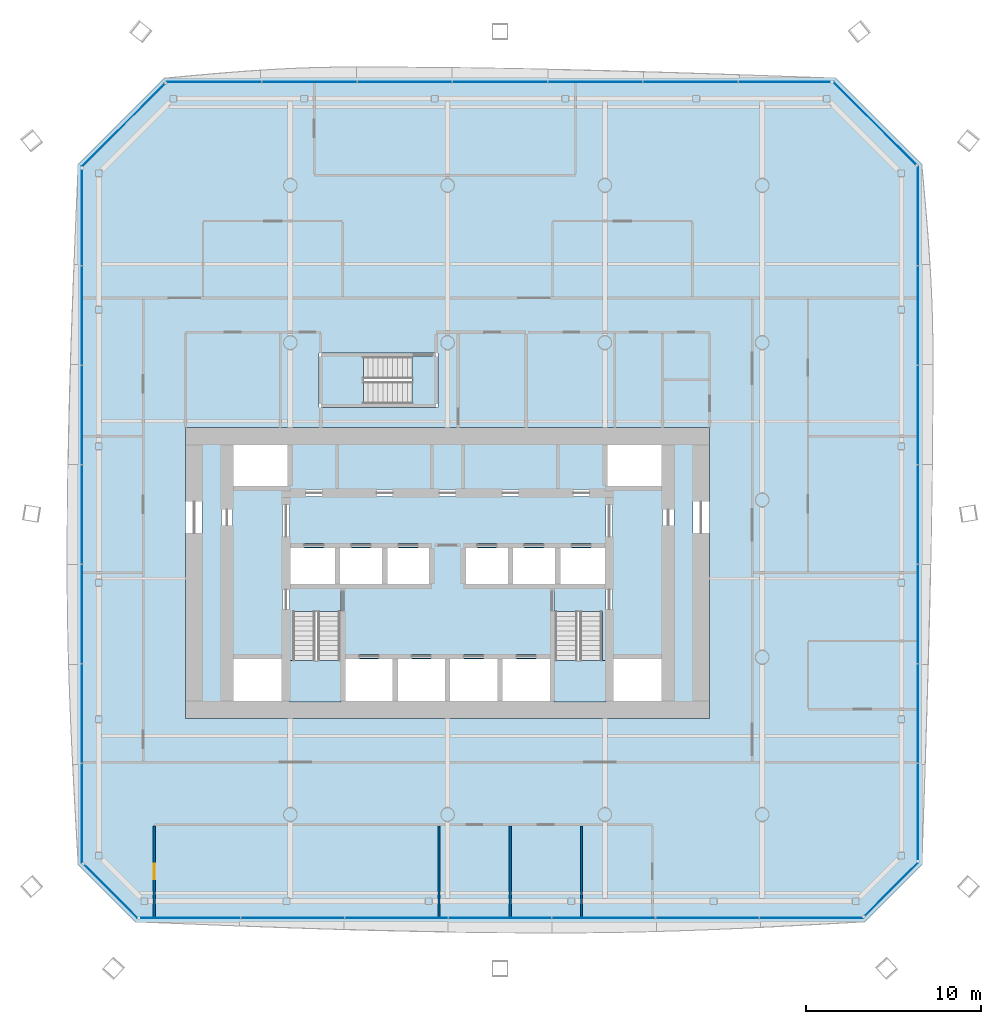
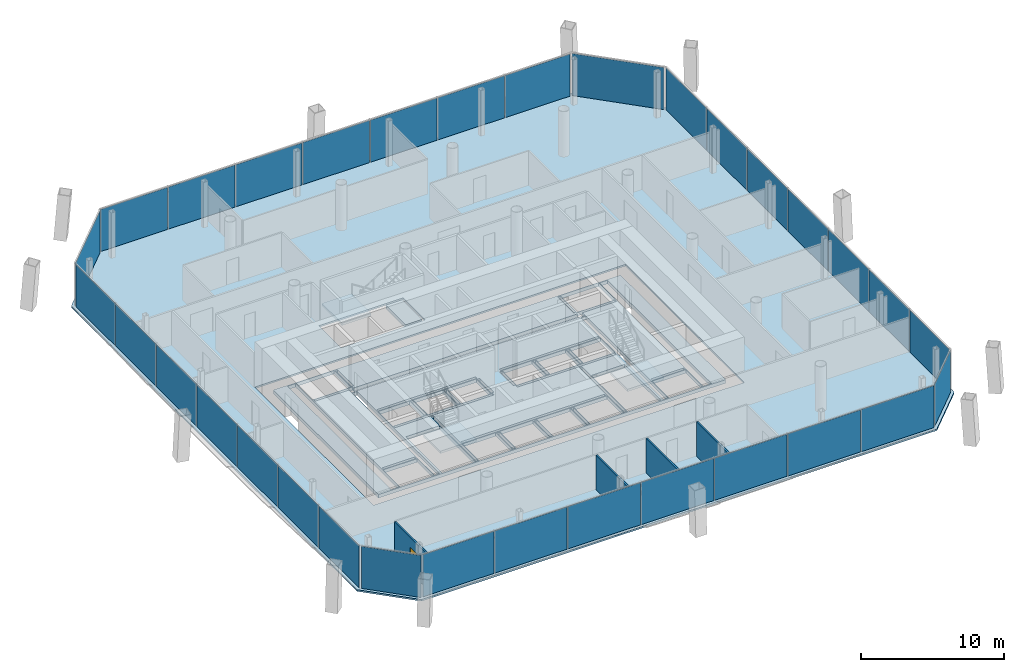
# One storey, part 10 of 19: 32 plates, 6 slabs, 4 walls, 1 door, 1 opening, 11 elements without a shape of their own.
"""IFC4 building model written with IfcOpenShell, lengths in metres."""

import ifcopenshell
import ifcopenshell.guid

model = None  # the IFC model being written
_history = None  # IfcOwnerHistory: only IFC2X3 demands one
_inside = {}  # id of a spatial element -> (the spatial element, [elements in it])
_under = {}  # id of a project, library or spatial element -> (it, [spatial elements below it])
_declared = {}  # id of a project -> (the project, [libraries it declares])
_typed = {}  # id of a type object -> (the type object, [elements of that type])
_made_of = {}  # id of a material, layer set ... -> (it, [elements and type objects made of it])


def new_model(schema):
    """Start an empty IFC model of exactly this schema.

    Asked for "IFC4X3", IfcOpenShell would pick the latest addendum, in which some entities
    have other attributes; the version numbers below select the first issue.
    IFC2X3 requires an IfcOwnerHistory on every rooted entity: one is made here for all.
    """
    global model, _history
    if schema == "IFC4X3":
        model = ifcopenshell.file(schema_version=(4, 3, 0, 0))
    else:
        model = ifcopenshell.file(schema=schema)
    _inside.clear()
    _under.clear()
    _declared.clear()
    _typed.clear()
    _made_of.clear()
    _history = None
    if model.schema == "IFC2X3":
        org = make("IfcOrganization", Name="unknown")
        user = make(
            "IfcPersonAndOrganization",
            ThePerson=make("IfcPerson", FamilyName="unknown"),
            TheOrganization=org,
        )
        app = make(
            "IfcApplication",
            ApplicationDeveloper=org,
            Version="unknown",
            ApplicationFullName="unknown",
            ApplicationIdentifier="unknown",
        )
        _history = make(
            "IfcOwnerHistory",
            OwningUser=user,
            OwningApplication=app,
            ChangeAction="ADDED",
            CreationDate=0,
        )
    return model


def make(cls, **values):
    """One entity of the class cls with the attributes given. An attribute that is None is left unset."""
    return model.create_entity(
        cls, **{name: value for name, value in values.items() if value is not None}
    )


def rooted(cls, **values):
    """An entity with a GlobalId (a new one), such as an element, a storey or a relation."""
    return make(cls, GlobalId=ifcopenshell.guid.new(), OwnerHistory=_history, **values)


def si_unit(unit_type, name, prefix=None):
    """IfcSIUnit, for example si_unit("LENGTHUNIT", "METRE", prefix="MILLI")."""
    return make("IfcSIUnit", UnitType=unit_type, Prefix=prefix, Name=name)


def assignment(units):
    """IfcUnitAssignment: the units of a project."""
    return None if units is None else make("IfcUnitAssignment", Units=units)


def point(xyz):
    """IfcCartesianPoint."""
    return None if xyz is None else make("IfcCartesianPoint", Coordinates=xyz)


def direction(xyz):
    """IfcDirection."""
    return None if xyz is None else make("IfcDirection", DirectionRatios=xyz)


def frame(location, z_axis=None, x_axis=None):
    """IfcAxis2Placement3D, a coordinate frame: its origin and axes. An axis left out is left unset."""
    return make(
        "IfcAxis2Placement3D",
        Location=point(location),
        Axis=direction(z_axis),
        RefDirection=direction(x_axis),
    )


def frame_2d(location, x_axis=None):
    """IfcAxis2Placement2D, a coordinate frame in the plane: its origin and x axis."""
    return make(
        "IfcAxis2Placement2D", Location=point(location), RefDirection=direction(x_axis)
    )


def origin():
    """The frame at (0, 0, 0) with its axes left unset."""
    return frame((0.0, 0.0, 0.0))


def origin_2d():
    """The frame at (0, 0) in the plane with its x axis left unset."""
    return frame_2d((0.0, 0.0))


def place(relative_to, where):
    """IfcLocalPlacement: puts the frame where relative to a parent placement (None: the world)."""
    return make(
        "IfcLocalPlacement", PlacementRelTo=relative_to, RelativePlacement=where
    )


def context(
    kind, dimensions, precision=None, world=None, true_north=None, identifier=None
):
    """IfcGeometricRepresentationContext, for example the 3D "Model" context."""
    return make(
        "IfcGeometricRepresentationContext",
        ContextIdentifier=identifier,
        ContextType=kind,
        CoordinateSpaceDimension=dimensions,
        Precision=precision,
        WorldCoordinateSystem=world,
        TrueNorth=true_north,
    )


def subcontext(parent, identifier, kind, view, scale=None):
    """IfcGeometricRepresentationSubContext, for example "Body" below "Model"."""
    return make(
        "IfcGeometricRepresentationSubContext",
        ContextIdentifier=identifier,
        ContextType=kind,
        ParentContext=parent,
        TargetScale=scale,
        TargetView=view,
    )


def project(units=None, contexts=None):
    """IfcProject with its units and contexts."""
    return rooted(
        "IfcProject",
        Name="project",
        RepresentationContexts=contexts,
        UnitsInContext=assignment(units),
    )


def spatial(cls, under=None, at=None, **own):
    """A site, building, storey or space (cls), placed at a placement, below another one or the project."""
    s = rooted(cls, ObjectPlacement=at, **own)
    if under is not None:
        _under.setdefault(under.id(), (under, []))[1].append(s)
    return s


def polyline(points):
    """IfcPolyline through the points."""
    return make("IfcPolyline", Points=[point(p) for p in points])


def profile(cls, at=None, kind="AREA", **sizes):
    """A parametric profile (cls). Its sizes go by their IFC names, for example OverallWidth=200.0."""
    return make(cls, ProfileType=kind, Position=at, **sizes)


def rectangle(**sizes):
    """IfcRectangleProfileDef."""
    return profile("IfcRectangleProfileDef", **sizes)


def outline(outer, holes=None, kind="AREA"):
    """IfcArbitraryClosedProfileDef: a profile drawn as a closed curve; with holes, ...WithVoids."""
    if holes is None:
        return make("IfcArbitraryClosedProfileDef", ProfileType=kind, OuterCurve=outer)
    return make(
        "IfcArbitraryProfileDefWithVoids",
        ProfileType=kind,
        OuterCurve=outer,
        InnerCurves=holes,
    )


def extrude(swept, where, along, depth):
    """IfcExtrudedAreaSolid: the profile swept, set in the frame where, extruded along a direction by depth."""
    return make(
        "IfcExtrudedAreaSolid",
        SweptArea=swept,
        Position=where,
        ExtrudedDirection=direction(along),
        Depth=depth,
    )


def shape(context_of_items, identifier, shape_type, items):
    """IfcShapeRepresentation: the items that make up one representation, for example the "Body"."""
    return make(
        "IfcShapeRepresentation",
        ContextOfItems=context_of_items,
        RepresentationIdentifier=identifier,
        RepresentationType=shape_type,
        Items=items,
    )


def material(Name=None, Category=None):
    """IfcMaterial."""
    return make("IfcMaterial", Name=Name, Category=Category)


def layer(
    of_material, thickness, ventilated=None, Name=None, Category=None, Priority=None
):
    """IfcMaterialLayer: one layer of a wall or slab, of a material (None: an air gap)."""
    return make(
        "IfcMaterialLayer",
        Material=of_material,
        LayerThickness=thickness,
        IsVentilated=ventilated,
        Name=Name,
        Category=Category,
        Priority=Priority,
    )


def layer_set(layers, Name=None):
    """IfcMaterialLayerSet."""
    return make("IfcMaterialLayerSet", MaterialLayers=layers, LayerSetName=Name)


def made_of(thing, what):
    """Note that an element or type object is made of a material, layer set ...; save() writes the relation."""
    if what is not None:
        _made_of.setdefault(what.id(), (what, []))[1].append(thing)
    return thing


def type_object(cls, material=None, **own):
    """A type object (cls), such as IfcWallType, which elements share."""
    return made_of(rooted(cls, **own), material)


def element(
    cls,
    number,
    at=None,
    inside=None,
    cuts=None,
    type_object=None,
    material=None,
    context=None,
    identifier="Body",
    shape_type=None,
    held_by="IfcProductDefinitionShape",
    body=None,
    shapes=None,
    **own,
):
    """One element of the class cls, such as IfcWall. Its Tag is "e" and its number.

    at: its placement. inside: the storey or other place that contains it. cuts: it is an
    opening in that element (IfcRelVoidsElement). A single representation is given by context,
    identifier, shape_type and body (its items); several are given by shapes. held_by: the class
    of the entity that holds the representations. save() writes the other relations.
    """
    e = rooted(cls, Tag="e%d" % number, ObjectPlacement=at, **own)
    if body is not None:
        shapes = [shape(context, identifier, shape_type, body)]
    if shapes is not None:
        e.Representation = make(held_by, Representations=shapes)
    if inside is not None:
        _inside.setdefault(inside.id(), (inside, []))[1].append(e)
    if cuts is not None:
        rooted(
            "IfcRelVoidsElement", RelatingBuildingElement=cuts, RelatedOpeningElement=e
        )
    if type_object is not None:
        _typed.setdefault(type_object.id(), (type_object, []))[1].append(e)
    return made_of(e, material)


def fill(opening, filler):
    """IfcRelFillsElement: the door or window that sits in an opening."""
    return rooted(
        "IfcRelFillsElement",
        RelatingOpeningElement=opening,
        RelatedBuildingElement=filler,
    )


def aggregate(whole, parts):
    """IfcRelAggregates: a whole, such as a stair, and the parts it consists of."""
    return rooted("IfcRelAggregates", RelatingObject=whole, RelatedObjects=parts)


def save(model, path):
    """Write the relations noted so far, then the file.

    IfcRelAggregates (storeys below a building ...), IfcRelContainedInSpatialStructure (elements
    in a storey), IfcRelDefinesByType, IfcRelAssociatesMaterial and IfcRelDeclares: one each for
    every whole, place, type object, material and project.
    """
    for whole, parts in _under.values():
        aggregate(whole, parts)
    for where, things in _inside.values():
        rooted(
            "IfcRelContainedInSpatialStructure",
            RelatedElements=things,
            RelatingStructure=where,
        )
    for kind, things in _typed.values():
        rooted("IfcRelDefinesByType", RelatedObjects=things, RelatingType=kind)
    for what, things in _made_of.values():
        rooted("IfcRelAssociatesMaterial", RelatedObjects=things, RelatingMaterial=what)
    for by, libraries in _declared.values():
        rooted("IfcRelDeclares", RelatingContext=by, RelatedDefinitions=libraries)
    model.write(path)


model = new_model("IFC4")

# Units and contexts
model_context = context("Model", 3, precision=1e-05, world=origin(), true_north=direction((0.0, 1.0)))
body_context = subcontext(model_context, "Body", "Model", "MODEL_VIEW")
ifc_project = project(units=[si_unit("LENGTHUNIT", "METRE"), si_unit("AREAUNIT", "SQUARE_METRE"), si_unit("VOLUMEUNIT", "CUBIC_METRE"), si_unit("PLANEANGLEUNIT", "RADIAN"), si_unit("MASSUNIT", "GRAM", prefix="KILO")], contexts=[model_context])

# Site, building, storey
site_placement = place(None, origin())
site = spatial("IfcSite", under=ifc_project, at=site_placement, CompositionType="ELEMENT")
building_placement = place(site_placement, origin())
building = spatial("IfcBuilding", under=site, at=building_placement, Name="Tskaro Facet Tower", CompositionType="ELEMENT")
storey_placement = place(building_placement, frame((0.0, 0.0, 101.10009765625)))
storey = spatial("IfcBuildingStorey", under=building, at=storey_placement, Name="L24", CompositionType="ELEMENT", Elevation=101.10009765625)

# Slab
ifc_material_1 = material(Name="Concrete C30/37", Category="concrete")
ifc_layer_1 = layer(ifc_material_1, 0.139892578125, Name="Concrete C30/37")
ifc_layer_set_1 = layer_set([ifc_layer_1], Name="Concrete C30/37")
slab_type_1 = type_object("IfcSlabType", Name="Composite deck floor slab", PredefinedType="FLOOR", material=ifc_layer_set_1)
slab_1_placement = place(storey_placement, frame((0.0, 0.0, -0.14013671875)))
element("IfcSlab", 1, at=slab_1_placement, inside=storey, type_object=slab_type_1, Name="Floor slab FS3 L24", PredefinedType="FLOOR", context=body_context, shape_type="SweptSolid", body=[
    extrude(outline(polyline([(-17.861083984375, -24.1650390625), (23.861083984375, -24.1650390625), (27.1650390625, -20.861083984375), (27.1650390625, 19.18701171875), (22.18701171875, 24.1650390625), (-16.18701171875, 24.1650390625), (-21.1650390625, 19.18701171875), (-21.1650390625, -20.861083984375), (-17.861083984375, -24.1650390625)]), holes=[polyline([(-15.0, -12.5), (15.0, -12.5), (15.0, 4.14990234375), (-15.0, 4.14990234375), (-15.0, -12.5)]), polyline([(-7.35009765625, 5.300048828125), (-0.550048828125, 5.300048828125), (-0.550048828125, 8.39990234375), (-7.35009765625, 8.39990234375), (-7.35009765625, 5.300048828125)])]), origin(), (0.0, 0.0, 1.0), 0.14013671875),
])

# Curtain wall, plates
ifc_material_2 = material(Name="Bronze anodised aluminium 6063-T6", Category="aluminium")
curtain_wall_type = type_object("IfcCurtainWallType", Name="Bronze office curtain wall (FW1)", PredefinedType="NOTDEFINED", material=ifc_material_2)
curtain_wall_1_placement = place(storey_placement, origin())
curtain_wall_1 = element("IfcCurtainWall", 2, at=curtain_wall_1_placement, inside=storey, type_object=curtain_wall_type, Name="FW1 south facet L24", PredefinedType="NOTDEFINED")
ifc_material_3 = material(Name="Bronze tinted glass", Category="glass")
ifc_layer_2 = layer(ifc_material_3, 0.031982421875, Name="Bronze tinted glass")
ifc_layer_set_2 = layer_set([ifc_layer_2], Name="Bronze tinted glass")
plate_type = type_object("IfcPlateType", Name="FW1 bronze-tinted unit glazing 32", PredefinedType="CURTAIN_PANEL", material=ifc_layer_set_2)
plate_1_placement = place(storey_placement, frame((-14.726806640625, -23.9150390625, -0.000244140625), z_axis=(0.0, 0.0, 1.0), x_axis=(1.0, 0.0, 0.0)))
plate_1 = element("IfcPlate", 3, at=plate_1_placement, type_object=plate_type, Name="FW1 south glazing 1.1", PredefinedType="CURTAIN_PANEL", context=body_context, shape_type="SweptSolid", body=[
    extrude(rectangle(XDim=5.740478515625, YDim=0.031982421875, at=origin_2d()), origin(), (0.0, 0.0, 1.0), 3.60009765625),
])
plate_2_placement = place(storey_placement, frame((-8.861083984375, -23.9150390625, -0.000244140625), z_axis=(0.0, 0.0, 1.0), x_axis=(1.0, 0.0, 0.0)))
plate_2 = element("IfcPlate", 4, at=plate_2_placement, type_object=plate_type, Name="FW1 south glazing 2.1", PredefinedType="CURTAIN_PANEL", context=body_context, shape_type="SweptSolid", body=[
    extrude(rectangle(XDim=5.87060546875, YDim=0.031982421875, at=origin_2d()), origin(), (0.0, 0.0, 1.0), 3.60009765625),
])
plate_3_placement = place(storey_placement, frame((-2.9306640625, -23.9150390625, -0.000244140625), z_axis=(0.0, 0.0, 1.0), x_axis=(1.0, 0.0, 0.0)))
plate_3 = element("IfcPlate", 5, at=plate_3_placement, type_object=plate_type, Name="FW1 south glazing 3.1", PredefinedType="CURTAIN_PANEL", context=body_context, shape_type="SweptSolid", body=[
    extrude(rectangle(XDim=5.87060546875, YDim=0.031982421875, at=origin_2d()), origin(), (0.0, 0.0, 1.0), 3.60009765625),
])
plate_4_placement = place(storey_placement, frame((3.0, -23.9150390625, -0.000244140625), z_axis=(0.0, 0.0, 1.0), x_axis=(1.0, 0.0, 0.0)))
plate_4 = element("IfcPlate", 6, at=plate_4_placement, type_object=plate_type, Name="FW1 south glazing 4.1", PredefinedType="CURTAIN_PANEL", context=body_context, shape_type="SweptSolid", body=[
    extrude(rectangle(XDim=5.87060546875, YDim=0.031982421875, at=origin_2d()), origin(), (0.0, 0.0, 1.0), 3.60009765625),
])
plate_5_placement = place(storey_placement, frame((8.9306640625, -23.9150390625, -0.000244140625), z_axis=(0.0, 0.0, 1.0), x_axis=(1.0, 0.0, 0.0)))
plate_5 = element("IfcPlate", 7, at=plate_5_placement, type_object=plate_type, Name="FW1 south glazing 5.1", PredefinedType="CURTAIN_PANEL", context=body_context, shape_type="SweptSolid", body=[
    extrude(rectangle(XDim=5.87060546875, YDim=0.031982421875, at=origin_2d()), origin(), (0.0, 0.0, 1.0), 3.60009765625),
])
plate_6_placement = place(storey_placement, frame((14.861083984375, -23.9150390625, -0.000244140625), z_axis=(0.0, 0.0, 1.0), x_axis=(1.0, 0.0, 0.0)))
plate_6 = element("IfcPlate", 8, at=plate_6_placement, type_object=plate_type, Name="FW1 south glazing 6.1", PredefinedType="CURTAIN_PANEL", context=body_context, shape_type="SweptSolid", body=[
    extrude(rectangle(XDim=5.87060546875, YDim=0.031982421875, at=origin_2d()), origin(), (0.0, 0.0, 1.0), 3.60009765625),
])
plate_7_placement = place(storey_placement, frame((20.806640625, -23.9150390625, -0.000244140625), z_axis=(0.0, 0.0, 1.0), x_axis=(1.0, 0.0, 0.0)))
plate_7 = element("IfcPlate", 9, at=plate_7_placement, type_object=plate_type, Name="FW1 south glazing 7.1", PredefinedType="CURTAIN_PANEL", context=body_context, shape_type="SweptSolid", body=[
    extrude(rectangle(XDim=5.900634765625, YDim=0.031982421875, at=origin_2d()), origin(), (0.0, 0.0, 1.0), 3.60009765625),
])
aggregate(curtain_wall_1, [plate_1, plate_2, plate_3, plate_4, plate_5, plate_6, plate_7])

# Curtain wall, plate
curtain_wall_2_placement = place(storey_placement, origin())
curtain_wall_2 = element("IfcCurtainWall", 10, at=curtain_wall_2_placement, inside=storey, type_object=curtain_wall_type, Name="FW1 south-east facet L24", PredefinedType="NOTDEFINED")
plate_8_placement = place(storey_placement, frame((25.392578125, -22.279541015625, -0.000244140625), z_axis=(0.0, 0.0, 1.0), x_axis=(0.707106781187, 0.707106781187, 0.0)))
plate_8 = element("IfcPlate", 11, at=plate_8_placement, type_object=plate_type, Name="FW1 south-east glazing 1.1", PredefinedType="CURTAIN_PANEL", context=body_context, shape_type="SweptSolid", body=[
    extrude(rectangle(XDim=4.30615234375, YDim=0.031982421875, at=origin_2d()), origin(), (0.0, 0.0, 1.0), 3.60009765625),
])
aggregate(curtain_wall_2, [plate_8])

# Curtain wall, plates
curtain_wall_3_placement = place(storey_placement, origin())
curtain_wall_3 = element("IfcCurtainWall", 12, at=curtain_wall_3_placement, inside=storey, type_object=curtain_wall_type, Name="FW1 east facet L24", PredefinedType="NOTDEFINED")
plate_9_placement = place(storey_placement, frame((26.9150390625, -17.84619140625, -0.000244140625), z_axis=(0.0, 0.0, 1.0), x_axis=(0.0, 1.0, 0.0)))
plate_9 = element("IfcPlate", 13, at=plate_9_placement, type_object=plate_type, Name="FW1 east glazing 1.1", PredefinedType="CURTAIN_PANEL", context=body_context, shape_type="SweptSolid", body=[
    extrude(rectangle(XDim=5.50146484375, YDim=0.031982421875, at=origin_2d()), origin(), (0.0, 0.0, 1.0), 3.60009765625),
])
plate_10_placement = place(storey_placement, frame((26.9150390625, -12.219970703125, -0.000244140625), z_axis=(0.0, 0.0, 1.0), x_axis=(0.0, 1.0, 0.0)))
plate_10 = element("IfcPlate", 14, at=plate_10_placement, type_object=plate_type, Name="FW1 east glazing 2.1", PredefinedType="CURTAIN_PANEL", context=body_context, shape_type="SweptSolid", body=[
    extrude(rectangle(XDim=5.63134765625, YDim=0.031982421875, at=origin_2d()), origin(), (0.0, 0.0, 1.0), 3.60009765625),
])
plate_11_placement = place(storey_placement, frame((26.9150390625, -6.5283203125, -0.000244140625), z_axis=(0.0, 0.0, 1.0), x_axis=(0.0, 1.0, 0.0)))
plate_11 = element("IfcPlate", 15, at=plate_11_placement, type_object=plate_type, Name="FW1 east glazing 3.1", PredefinedType="CURTAIN_PANEL", context=body_context, shape_type="SweptSolid", body=[
    extrude(rectangle(XDim=5.63134765625, YDim=0.031982421875, at=origin_2d()), origin(), (0.0, 0.0, 1.0), 3.60009765625),
])
plate_12_placement = place(storey_placement, frame((26.9150390625, -0.8369140625, -0.000244140625), z_axis=(0.0, 0.0, 1.0), x_axis=(0.0, 1.0, 0.0)))
plate_12 = element("IfcPlate", 16, at=plate_12_placement, type_object=plate_type, Name="FW1 east glazing 4.1", PredefinedType="CURTAIN_PANEL", context=body_context, shape_type="SweptSolid", body=[
    extrude(rectangle(XDim=5.63134765625, YDim=0.031982421875, at=origin_2d()), origin(), (0.0, 0.0, 1.0), 3.60009765625),
])
plate_13_placement = place(storey_placement, frame((26.9150390625, 4.8544921875, -0.000244140625), z_axis=(0.0, 0.0, 1.0), x_axis=(0.0, 1.0, 0.0)))
plate_13 = element("IfcPlate", 17, at=plate_13_placement, type_object=plate_type, Name="FW1 east glazing 5.1", PredefinedType="CURTAIN_PANEL", context=body_context, shape_type="SweptSolid", body=[
    extrude(rectangle(XDim=5.63134765625, YDim=0.031982421875, at=origin_2d()), origin(), (0.0, 0.0, 1.0), 3.60009765625),
])
plate_14_placement = place(storey_placement, frame((26.9150390625, 10.5458984375, -0.000244140625), z_axis=(0.0, 0.0, 1.0), x_axis=(0.0, 1.0, 0.0)))
plate_14 = element("IfcPlate", 18, at=plate_14_placement, type_object=plate_type, Name="FW1 east glazing 6.1", PredefinedType="CURTAIN_PANEL", context=body_context, shape_type="SweptSolid", body=[
    extrude(rectangle(XDim=5.63134765625, YDim=0.031982421875, at=origin_2d()), origin(), (0.0, 0.0, 1.0), 3.60009765625),
])
plate_15_placement = place(storey_placement, frame((26.9150390625, 16.252197265625, -0.000244140625), z_axis=(0.0, 0.0, 1.0), x_axis=(0.0, 1.0, 0.0)))
plate_15 = element("IfcPlate", 19, at=plate_15_placement, type_object=plate_type, Name="FW1 east glazing 7.1", PredefinedType="CURTAIN_PANEL", context=body_context, shape_type="SweptSolid", body=[
    extrude(rectangle(XDim=5.661376953125, YDim=0.031982421875, at=origin_2d()), origin(), (0.0, 0.0, 1.0), 3.60009765625),
])
aggregate(curtain_wall_3, [plate_9, plate_10, plate_11, plate_12, plate_13, plate_14, plate_15])

# Curtain wall, plate
curtain_wall_4_placement = place(storey_placement, origin())
curtain_wall_4 = element("IfcCurtainWall", 20, at=curtain_wall_4_placement, inside=storey, type_object=curtain_wall_type, Name="FW1 north-east facet L24", PredefinedType="NOTDEFINED")
plate_16_placement = place(storey_placement, frame((24.4423828125, 21.5556640625, -0.000244140625), z_axis=(0.0, 0.0, 1.0), x_axis=(-0.707106781187, 0.707106781187, 0.0)))
plate_16 = element("IfcPlate", 21, at=plate_16_placement, type_object=plate_type, Name="FW1 north-east glazing 1.1", PredefinedType="CURTAIN_PANEL", context=body_context, shape_type="SweptSolid", body=[
    extrude(rectangle(XDim=6.673583984375, YDim=0.031982421875, at=origin_2d()), origin(), (0.0, 0.0, 1.0), 3.60009765625),
])
aggregate(curtain_wall_4, [plate_16])

# Curtain wall, plates
curtain_wall_5_placement = place(storey_placement, origin())
curtain_wall_5 = element("IfcCurtainWall", 22, at=curtain_wall_5_placement, inside=storey, type_object=curtain_wall_type, Name="FW1 north facet L24", PredefinedType="NOTDEFINED")
plate_17_placement = place(storey_placement, frame((19.291748046875, 23.9150390625, -0.000244140625), z_axis=(0.0, 0.0, 1.0), x_axis=(-1.0, 0.0, 0.0)))
plate_17 = element("IfcPlate", 23, at=plate_17_placement, type_object=plate_type, Name="FW1 north glazing 1.1", PredefinedType="CURTAIN_PANEL", context=body_context, shape_type="SweptSolid", body=[
    extrude(rectangle(XDim=5.26220703125, YDim=0.031982421875, at=origin_2d()), origin(), (0.0, 0.0, 1.0), 3.60009765625),
])
plate_18_placement = place(storey_placement, frame((13.904541015625, 23.9150390625, -0.000244140625), z_axis=(0.0, 0.0, 1.0), x_axis=(-1.0, 0.0, 0.0)))
plate_18 = element("IfcPlate", 24, at=plate_18_placement, type_object=plate_type, Name="FW1 north glazing 2.1", PredefinedType="CURTAIN_PANEL", context=body_context, shape_type="SweptSolid", body=[
    extrude(rectangle(XDim=5.392333984375, YDim=0.031982421875, at=origin_2d()), origin(), (0.0, 0.0, 1.0), 3.60009765625),
])
plate_19_placement = place(storey_placement, frame((8.452392578125, 23.9150390625, -0.000244140625), z_axis=(0.0, 0.0, 1.0), x_axis=(-1.0, 0.0, 0.0)))
plate_19 = element("IfcPlate", 25, at=plate_19_placement, type_object=plate_type, Name="FW1 north glazing 3.1", PredefinedType="CURTAIN_PANEL", context=body_context, shape_type="SweptSolid", body=[
    extrude(rectangle(XDim=5.392333984375, YDim=0.031982421875, at=origin_2d()), origin(), (0.0, 0.0, 1.0), 3.60009765625),
])
plate_20_placement = place(storey_placement, frame((3.0, 23.9150390625, -0.000244140625), z_axis=(0.0, 0.0, 1.0), x_axis=(-1.0, 0.0, 0.0)))
plate_20 = element("IfcPlate", 26, at=plate_20_placement, type_object=plate_type, Name="FW1 north glazing 4.1", PredefinedType="CURTAIN_PANEL", context=body_context, shape_type="SweptSolid", body=[
    extrude(rectangle(XDim=5.392333984375, YDim=0.031982421875, at=origin_2d()), origin(), (0.0, 0.0, 1.0), 3.60009765625),
])
plate_21_placement = place(storey_placement, frame((-2.452392578125, 23.9150390625, -0.000244140625), z_axis=(0.0, 0.0, 1.0), x_axis=(-1.0, 0.0, 0.0)))
plate_21 = element("IfcPlate", 27, at=plate_21_placement, type_object=plate_type, Name="FW1 north glazing 5.1", PredefinedType="CURTAIN_PANEL", context=body_context, shape_type="SweptSolid", body=[
    extrude(rectangle(XDim=5.392333984375, YDim=0.031982421875, at=origin_2d()), origin(), (0.0, 0.0, 1.0), 3.60009765625),
])
plate_22_placement = place(storey_placement, frame((-7.904541015625, 23.9150390625, -0.000244140625), z_axis=(0.0, 0.0, 1.0), x_axis=(-1.0, 0.0, 0.0)))
plate_22 = element("IfcPlate", 28, at=plate_22_placement, type_object=plate_type, Name="FW1 north glazing 6.1", PredefinedType="CURTAIN_PANEL", context=body_context, shape_type="SweptSolid", body=[
    extrude(rectangle(XDim=5.392333984375, YDim=0.031982421875, at=origin_2d()), origin(), (0.0, 0.0, 1.0), 3.60009765625),
])
plate_23_placement = place(storey_placement, frame((-13.371826171875, 23.9150390625, -0.000244140625), z_axis=(0.0, 0.0, 1.0), x_axis=(-1.0, 0.0, 0.0)))
plate_23 = element("IfcPlate", 29, at=plate_23_placement, type_object=plate_type, Name="FW1 north glazing 7.1", PredefinedType="CURTAIN_PANEL", context=body_context, shape_type="SweptSolid", body=[
    extrude(rectangle(XDim=5.42236328125, YDim=0.031982421875, at=origin_2d()), origin(), (0.0, 0.0, 1.0), 3.60009765625),
])
aggregate(curtain_wall_5, [plate_17, plate_18, plate_19, plate_20, plate_21, plate_22, plate_23])

# Curtain wall, plate
curtain_wall_6_placement = place(storey_placement, origin())
curtain_wall_6 = element("IfcCurtainWall", 30, at=curtain_wall_6_placement, inside=storey, type_object=curtain_wall_type, Name="FW1 north-west facet L24", PredefinedType="NOTDEFINED")
plate_24_placement = place(storey_placement, frame((-18.5556640625, 21.4423828125, -0.000244140625), z_axis=(0.0, 0.0, 1.0), x_axis=(-0.707106781187, -0.707106781187, 0.0)))
plate_24 = element("IfcPlate", 31, at=plate_24_placement, type_object=plate_type, Name="FW1 north-west glazing 1.1", PredefinedType="CURTAIN_PANEL", context=body_context, shape_type="SweptSolid", body=[
    extrude(rectangle(XDim=6.673583984375, YDim=0.031982421875, at=origin_2d()), origin(), (0.0, 0.0, 1.0), 3.60009765625),
])
aggregate(curtain_wall_6, [plate_24])

# Curtain wall, plates
curtain_wall_7_placement = place(storey_placement, origin())
curtain_wall_7 = element("IfcCurtainWall", 32, at=curtain_wall_7_placement, inside=storey, type_object=curtain_wall_type, Name="FW1 west facet L24", PredefinedType="NOTDEFINED")
plate_25_placement = place(storey_placement, frame((-20.9150390625, 16.17236328125, -0.000244140625), z_axis=(0.0, 0.0, 1.0), x_axis=(0.0, -1.0, 0.0)))
plate_25 = element("IfcPlate", 33, at=plate_25_placement, type_object=plate_type, Name="FW1 west glazing 1.1", PredefinedType="CURTAIN_PANEL", context=body_context, shape_type="SweptSolid", body=[
    extrude(rectangle(XDim=5.50146484375, YDim=0.031982421875, at=origin_2d()), origin(), (0.0, 0.0, 1.0), 3.60009765625),
])
plate_26_placement = place(storey_placement, frame((-20.9150390625, 10.5458984375, -0.000244140625), z_axis=(0.0, 0.0, 1.0), x_axis=(0.0, -1.0, 0.0)))
plate_26 = element("IfcPlate", 34, at=plate_26_placement, type_object=plate_type, Name="FW1 west glazing 2.1", PredefinedType="CURTAIN_PANEL", context=body_context, shape_type="SweptSolid", body=[
    extrude(rectangle(XDim=5.63134765625, YDim=0.031982421875, at=origin_2d()), origin(), (0.0, 0.0, 1.0), 3.60009765625),
])
plate_27_placement = place(storey_placement, frame((-20.9150390625, 4.8544921875, -0.000244140625), z_axis=(0.0, 0.0, 1.0), x_axis=(0.0, -1.0, 0.0)))
plate_27 = element("IfcPlate", 35, at=plate_27_placement, type_object=plate_type, Name="FW1 west glazing 3.1", PredefinedType="CURTAIN_PANEL", context=body_context, shape_type="SweptSolid", body=[
    extrude(rectangle(XDim=5.63134765625, YDim=0.031982421875, at=origin_2d()), origin(), (0.0, 0.0, 1.0), 3.60009765625),
])
plate_28_placement = place(storey_placement, frame((-20.9150390625, -0.8369140625, -0.000244140625), z_axis=(0.0, 0.0, 1.0), x_axis=(0.0, -1.0, 0.0)))
plate_28 = element("IfcPlate", 36, at=plate_28_placement, type_object=plate_type, Name="FW1 west glazing 4.1", PredefinedType="CURTAIN_PANEL", context=body_context, shape_type="SweptSolid", body=[
    extrude(rectangle(XDim=5.63134765625, YDim=0.031982421875, at=origin_2d()), origin(), (0.0, 0.0, 1.0), 3.60009765625),
])
plate_29_placement = place(storey_placement, frame((-20.9150390625, -6.5283203125, -0.000244140625), z_axis=(0.0, 0.0, 1.0), x_axis=(0.0, -1.0, 0.0)))
plate_29 = element("IfcPlate", 37, at=plate_29_placement, type_object=plate_type, Name="FW1 west glazing 5.1", PredefinedType="CURTAIN_PANEL", context=body_context, shape_type="SweptSolid", body=[
    extrude(rectangle(XDim=5.63134765625, YDim=0.031982421875, at=origin_2d()), origin(), (0.0, 0.0, 1.0), 3.60009765625),
])
plate_30_placement = place(storey_placement, frame((-20.9150390625, -12.219970703125, -0.000244140625), z_axis=(0.0, 0.0, 1.0), x_axis=(0.0, -1.0, 0.0)))
plate_30 = element("IfcPlate", 38, at=plate_30_placement, type_object=plate_type, Name="FW1 west glazing 6.1", PredefinedType="CURTAIN_PANEL", context=body_context, shape_type="SweptSolid", body=[
    extrude(rectangle(XDim=5.63134765625, YDim=0.031982421875, at=origin_2d()), origin(), (0.0, 0.0, 1.0), 3.60009765625),
])
plate_31_placement = place(storey_placement, frame((-20.9150390625, -17.92626953125, -0.000244140625), z_axis=(0.0, 0.0, 1.0), x_axis=(0.0, -1.0, 0.0)))
plate_31 = element("IfcPlate", 39, at=plate_31_placement, type_object=plate_type, Name="FW1 west glazing 7.1", PredefinedType="CURTAIN_PANEL", context=body_context, shape_type="SweptSolid", body=[
    extrude(rectangle(XDim=5.661376953125, YDim=0.031982421875, at=origin_2d()), origin(), (0.0, 0.0, 1.0), 3.60009765625),
])
aggregate(curtain_wall_7, [plate_25, plate_26, plate_27, plate_28, plate_29, plate_30, plate_31])

# Curtain wall, plate
curtain_wall_8_placement = place(storey_placement, origin())
curtain_wall_8 = element("IfcCurtainWall", 40, at=curtain_wall_8_placement, inside=storey, type_object=curtain_wall_type, Name="FW1 south-west facet L24", PredefinedType="NOTDEFINED")
plate_32_placement = place(storey_placement, frame((-19.279541015625, -22.392578125, -0.000244140625), z_axis=(0.0, 0.0, 1.0), x_axis=(0.707106781187, -0.707106781187, 0.0)))
plate_32 = element("IfcPlate", 41, at=plate_32_placement, type_object=plate_type, Name="FW1 south-west glazing 1.1", PredefinedType="CURTAIN_PANEL", context=body_context, shape_type="SweptSolid", body=[
    extrude(rectangle(XDim=4.30615234375, YDim=0.031982421875, at=origin_2d()), origin(), (0.0, 0.0, 1.0), 3.60009765625),
])
aggregate(curtain_wall_8, [plate_32])

# Stair, slab
ifc_material_4 = material(Name="Concrete C40/50", Category="concrete")
stair_type = type_object("IfcStairType", Name="ST-TWR", PredefinedType="HALF_TURN_STAIR", material=ifc_material_4)
stair_1_placement = place(storey_placement, origin())
stair_1 = element("IfcStair", 42, at=stair_1_placement, inside=storey, type_object=stair_type, Name="L24 Exit stair 1", PredefinedType="HALF_TURN_STAIR")
ifc_layer_3 = layer(ifc_material_4, 0.199951171875, Name="Concrete C40/50")
ifc_layer_set_3 = layer_set([ifc_layer_3], Name="Concrete C40/50")
slab_type_2 = type_object("IfcSlabType", Name="SL-LANDING", PredefinedType="LANDING", material=ifc_layer_set_3)
slab_2_placement = place(storey_placement, frame((0.0, 0.0, 1.75)))
slab_2 = element("IfcSlab", 43, at=slab_2_placement, type_object=slab_type_2, Name="ST-1 landing 1", PredefinedType="LANDING", context=body_context, shape_type="SweptSolid", body=[
    extrude(outline(polyline([(-9.050048828125, -11.550048828125), (-6.10009765625, -11.550048828125), (-6.10009765625, -9.175048828125), (-9.050048828125, -9.175048828125), (-9.050048828125, -11.550048828125)])), origin(), (0.0, 0.0, 1.0), 0.199951171875),
])
aggregate(stair_1, [slab_2])

stair_2_placement = place(storey_placement, origin())
stair_2 = element("IfcStair", 44, at=stair_2_placement, inside=storey, type_object=stair_type, Name="L24 Exit stair 2", PredefinedType="HALF_TURN_STAIR")
slab_3_placement = place(storey_placement, frame((0.0, 0.0, 1.75)))
slab_3 = element("IfcSlab", 45, at=slab_3_placement, type_object=slab_type_2, Name="ST-2 landing 1", PredefinedType="LANDING", context=body_context, shape_type="SweptSolid", body=[
    extrude(outline(polyline([(6.10009765625, -11.550048828125), (9.050048828125, -11.550048828125), (9.050048828125, -9.175048828125), (6.10009765625, -9.175048828125), (6.10009765625, -11.550048828125)])), origin(), (0.0, 0.0, 1.0), 0.199951171875),
])
aggregate(stair_2, [slab_3])

stair_3_placement = place(storey_placement, origin())
stair_3 = element("IfcStair", 46, at=stair_3_placement, inside=storey, type_object=stair_type, Name="L24 Exit stair 3", PredefinedType="HALF_TURN_STAIR")
slab_4_placement = place(storey_placement, frame((0.0, 0.0, 1.75)))
slab_4 = element("IfcSlab", 47, at=slab_4_placement, type_object=slab_type_2, Name="ST-3 landing 1", PredefinedType="LANDING", context=body_context, shape_type="SweptSolid", body=[
    extrude(outline(polyline([(-7.199951171875, 5.449951171875), (-4.824951171875, 5.449951171875), (-4.824951171875, 8.25), (-7.199951171875, 8.25), (-7.199951171875, 5.449951171875)])), origin(), (0.0, 0.0, 1.0), 0.199951171875),
])
aggregate(stair_3, [slab_4])

# Slabs
ifc_material_5 = material(Name="Concrete C60/75", Category="concrete")
ifc_layer_4 = layer(ifc_material_5, 0.300048828125, Name="Concrete C60/75")
ifc_layer_set_4 = layer_set([ifc_layer_4], Name="Concrete C60/75")
slab_type_3 = type_object("IfcSlabType", Name="SLAB-CORE", PredefinedType="FLOOR", material=ifc_layer_set_4)
slab_5_placement = place(storey_placement, frame((0.0, 0.0, -0.300048828125)))
element("IfcSlab", 48, at=slab_5_placement, inside=storey, type_object=slab_type_3, Name="Core floor slab 1", PredefinedType="FLOOR", context=body_context, shape_type="SweptSolid", body=[
    extrude(outline(polyline([(-14.050048828125, 3.199951171875), (14.050048828125, 3.199951171875), (14.050048828125, 3.10009765625), (14.050048828125, -11.449951171875), (14.050048828125, -11.550048828125), (-14.050048828125, -11.550048828125), (-14.050048828125, -11.449951171875), (-14.050048828125, 3.10009765625), (-14.050048828125, 3.199951171875)]), holes=[polyline([(-9.5, -9.10009765625), (-12.25, -9.10009765625), (-12.25, -11.5), (-9.5, -11.5), (-9.5, -9.10009765625)]), polyline([(-3.14990234375, -9.10009765625), (-5.85009765625, -9.10009765625), (-5.85009765625, -11.5), (-3.14990234375, -11.5), (-3.14990234375, -9.10009765625)]), polyline([(-12.199951171875, -8.85009765625), (-12.199951171875, -9.050048828125), (-9.550048828125, -9.050048828125), (-9.550048828125, -8.85009765625), (-12.199951171875, -8.85009765625)]), polyline([(-6.10009765625, -11.449951171875), (-5.89990234375, -11.449951171875), (-5.89990234375, -5.14990234375), (-6.10009765625, -5.14990234375), (-6.10009765625, -11.449951171875)]), polyline([(-9.449951171875, 0.10009765625), (-9.449951171875, -11.449951171875), (-9.050048828125, -11.449951171875), (-9.050048828125, 0.10009765625), (-9.449951171875, 0.10009765625)]), polyline([(-8.949951171875, -4.85009765625), (-8.949951171875, -5.050048828125), (-0.949951171875, -5.050048828125), (-0.949951171875, -4.85009765625), (-8.949951171875, -4.85009765625)]), polyline([(-12.949951171875, -11.449951171875), (-12.300048828125, -11.449951171875), (-12.300048828125, 3.10009765625), (-12.949951171875, 3.10009765625), (-12.949951171875, -11.449951171875)]), polyline([(-6.449951171875, -4.800048828125), (-6.449951171875, -2.75), (-9.0, -2.75), (-9.0, -4.800048828125), (-6.449951171875, -4.800048828125)]), polyline([(-6.14990234375, -4.800048828125), (-3.75, -4.800048828125), (-3.75, -2.75), (-6.14990234375, -2.75), (-6.14990234375, -4.800048828125)]), polyline([(-6.39990234375, -2.800048828125), (-6.39990234375, -4.75), (-6.199951171875, -4.75), (-6.199951171875, -2.800048828125), (-6.39990234375, -2.800048828125)]), polyline([(-8.949951171875, -2.5), (-8.949951171875, -2.699951171875), (-0.949951171875, -2.699951171875), (-0.949951171875, -2.5), (-8.949951171875, -2.5)]), polyline([(9.449951171875, 0.550048828125), (12.199951171875, 0.550048828125), (12.199951171875, 0.75), (9.050048828125, 0.75), (9.050048828125, 0.60009765625), (-9.050048828125, 0.60009765625), (-9.050048828125, 0.75), (-12.199951171875, 0.75), (-12.199951171875, 0.550048828125), (-9.449951171875, 0.550048828125), (-9.449951171875, 0.199951171875), (9.449951171875, 0.199951171875), (9.449951171875, 0.550048828125)]), polyline([(-9.10009765625, 3.10009765625), (-9.10009765625, 0.85009765625), (-8.89990234375, 0.85009765625), (-8.89990234375, 3.10009765625), (-9.10009765625, 3.10009765625)]), polyline([(-9.14990234375, 0.800048828125), (-9.14990234375, 3.14990234375), (-12.25, 3.14990234375), (-12.25, 0.800048828125), (-9.14990234375, 0.800048828125)]), polyline([(2.89990234375, -11.449951171875), (3.10009765625, -11.449951171875), (3.10009765625, -9.14990234375), (2.89990234375, -9.14990234375), (2.89990234375, -11.449951171875)]), polyline([(-3.10009765625, -9.14990234375), (-3.10009765625, -11.449951171875), (-2.89990234375, -11.449951171875), (-2.89990234375, -9.14990234375), (-3.10009765625, -9.14990234375)]), polyline([(2.85009765625, -9.10009765625), (0.14990234375, -9.10009765625), (0.14990234375, -11.5), (2.85009765625, -11.5), (2.85009765625, -9.10009765625)]), polyline([(-0.14990234375, -9.10009765625), (-2.85009765625, -9.10009765625), (-2.85009765625, -11.5), (-0.14990234375, -11.5), (-0.14990234375, -9.10009765625)]), polyline([(-0.10009765625, -9.14990234375), (-0.10009765625, -11.449951171875), (0.10009765625, -11.449951171875), (0.10009765625, -9.14990234375), (-0.10009765625, -9.14990234375)]), polyline([(-5.800048828125, -8.85009765625), (-5.800048828125, -9.050048828125), (5.800048828125, -9.050048828125), (5.800048828125, -8.85009765625), (-5.800048828125, -8.85009765625)]), polyline([(-1.0, -2.800048828125), (-1.0, -4.75), (-0.800048828125, -4.75), (-0.800048828125, -2.800048828125), (-1.0, -2.800048828125)]), polyline([(0.800048828125, -4.75), (1.0, -4.75), (1.0, -2.800048828125), (0.800048828125, -2.800048828125), (0.800048828125, -4.75)]), polyline([(-1.050048828125, -4.800048828125), (-1.050048828125, -2.75), (-3.449951171875, -2.75), (-3.449951171875, -4.800048828125), (-1.050048828125, -4.800048828125)]), polyline([(3.449951171875, -4.800048828125), (3.449951171875, -2.75), (1.050048828125, -2.75), (1.050048828125, -4.800048828125), (3.449951171875, -4.800048828125)]), polyline([(-3.699951171875, -4.75), (-3.5, -4.75), (-3.5, -2.800048828125), (-3.699951171875, -2.800048828125), (-3.699951171875, -4.75)]), polyline([(3.14990234375, -9.10009765625), (3.14990234375, -11.5), (5.85009765625, -11.5), (5.85009765625, -9.10009765625), (3.14990234375, -9.10009765625)]), polyline([(12.25, -11.5), (12.25, -9.10009765625), (9.5, -9.10009765625), (9.5, -11.5), (12.25, -11.5)]), polyline([(9.550048828125, -8.85009765625), (9.550048828125, -9.050048828125), (12.199951171875, -9.050048828125), (12.199951171875, -8.85009765625), (9.550048828125, -8.85009765625)]), polyline([(5.89990234375, -11.449951171875), (6.10009765625, -11.449951171875), (6.10009765625, -5.14990234375), (5.89990234375, -5.14990234375), (5.89990234375, -11.449951171875)]), polyline([(9.050048828125, 0.10009765625), (9.050048828125, -11.449951171875), (9.449951171875, -11.449951171875), (9.449951171875, 0.10009765625), (9.050048828125, 0.10009765625)]), polyline([(0.949951171875, -4.85009765625), (0.949951171875, -5.050048828125), (8.949951171875, -5.050048828125), (8.949951171875, -4.85009765625), (0.949951171875, -4.85009765625)]), polyline([(12.300048828125, -11.449951171875), (12.949951171875, -11.449951171875), (12.949951171875, 3.10009765625), (12.300048828125, 3.10009765625), (12.300048828125, -11.449951171875)]), polyline([(3.5, -2.800048828125), (3.5, -4.75), (3.699951171875, -4.75), (3.699951171875, -2.800048828125), (3.5, -2.800048828125)]), polyline([(3.75, -2.75), (3.75, -4.800048828125), (6.14990234375, -4.800048828125), (6.14990234375, -2.75), (3.75, -2.75)]), polyline([(6.199951171875, -2.800048828125), (6.199951171875, -4.75), (6.39990234375, -4.75), (6.39990234375, -2.800048828125), (6.199951171875, -2.800048828125)]), polyline([(6.449951171875, -2.75), (6.449951171875, -4.800048828125), (9.0, -4.800048828125), (9.0, -2.75), (6.449951171875, -2.75)]), polyline([(0.949951171875, -2.5), (0.949951171875, -2.699951171875), (8.949951171875, -2.699951171875), (8.949951171875, -2.5), (0.949951171875, -2.5)]), polyline([(8.89990234375, 3.10009765625), (8.89990234375, 0.85009765625), (9.10009765625, 0.85009765625), (9.10009765625, 3.10009765625), (8.89990234375, 3.10009765625)]), polyline([(9.14990234375, 0.800048828125), (12.25, 0.800048828125), (12.25, 3.14990234375), (9.14990234375, 3.14990234375), (9.14990234375, 0.800048828125)]), polyline([(-8.85009765625, -11.5), (-6.14990234375, -11.5), (-6.14990234375, -6.39501953125), (-8.85009765625, -6.39501953125), (-8.85009765625, -11.5)]), polyline([(6.14990234375, -6.39501953125), (6.14990234375, -11.5), (8.85009765625, -11.5), (8.85009765625, -6.39501953125), (6.14990234375, -6.39501953125)])]), origin(), (0.0, 0.0, 1.0), 0.300048828125),
])
slab_6_placement = place(storey_placement, frame((0.0, 0.0, -0.300048828125)))
element("IfcSlab", 49, at=slab_6_placement, inside=storey, type_object=slab_type_3, Name="Stair 3 floor landing 1", PredefinedType="FLOOR", context=body_context, shape_type="SweptSolid", body=[
    extrude(outline(polyline([(-2.02490234375, 5.449951171875), (-0.699951171875, 5.449951171875), (-0.699951171875, 8.25), (-2.02490234375, 8.25), (-2.02490234375, 5.449951171875)])), origin(), (0.0, 0.0, 1.0), 0.300048828125),
])

# Wall, opening, door
ifc_material_6 = material(Name="Gypsum board on steel studs", Category="steel")
ifc_layer_5 = layer(ifc_material_6, 0.125, Name="Gypsum board on steel studs")
ifc_layer_set_5 = layer_set([ifc_layer_5], Name="Gypsum board on steel studs")
wall_type = type_object("IfcWallType", Name="PART", PredefinedType="PARTITIONING", material=ifc_layer_set_5)
wall_placement = place(storey_placement, frame((-16.783935546875, -18.642578125, 0.0), z_axis=(0.0, 0.0, 1.0), x_axis=(0.0, -1.0, 0.0)))
wall = element("IfcWall", 50, at=wall_placement, inside=storey, type_object=wall_type, Name="Partition W030", PredefinedType="PARTITIONING", context=body_context, shape_type="SweptSolid", body=[
    extrude(rectangle(XDim=5.222412109375, YDim=0.125, at=frame_2d((2.611328125, 0.0))), origin(), (0.0, 0.0, 1.0), 2.9599609375),
])
opening_placement = place(wall_placement, frame((2.1611328125, 0.0, 0.0)))
opening = element("IfcOpeningElement", 51, at=opening_placement, cuts=wall, Name="Opening T7-D01", PredefinedType="OPENING", context=body_context, shape_type="SweptSolid", body=[
    extrude(rectangle(XDim=0.89990234375, YDim=2.10009765625, at=frame_2d((0.449951171875, 1.050048828125))), frame((0.0, 0.072509765625, 0.0), z_axis=(0.0, -1.0, 0.0), x_axis=(1.0, 0.0, 0.0)), (0.0, 0.0, 1.0), 0.14501953125),
])
ifc_material_7 = material(Name="Timber", Category="wood")
door_type = type_object("IfcDoorType", Name="D-ROOM", OperationType="NOTDEFINED", PredefinedType="DOOR", material=ifc_material_7)
door_placement = place(opening_placement, origin())
door = element("IfcDoor", 52, at=door_placement, inside=storey, type_object=door_type, Name="Door T7-D01", OperationType="SINGLE_SWING_RIGHT", OverallHeight=2.10009765625, OverallWidth=0.89990234375, PredefinedType="DOOR", context=body_context, shape_type="SweptSolid", body=[
    extrude(rectangle(XDim=0.89990234375, YDim=2.10009765625, at=frame_2d((0.449951171875, 1.050048828125))), frame((0.0, 0.02490234375, 0.0), z_axis=(0.0, -1.0, 0.0), x_axis=(1.0, 0.0, 0.0)), (0.0, 0.0, 1.0), 0.050048828125),
])
fill(opening, door)

# Walls
for number, where, z_axis, x_axis, name in (
    (53, (-0.492919921875, -23.864990234375, 0.0), (0.0, 0.0, 1.0), (0.0, 1.0, 0.0), "Partition W049"),
    (54, (3.580078125, -23.864990234375, 0.0), (0.0, 0.0, 1.0), (0.0, 1.0, 0.0), "Partition W055"),
    (55, (7.653076171875, -23.864990234375, 0.0), (0.0, 0.0, 1.0), (0.0, 1.0, 0.0), "Partition W063"),
):
    element("IfcWall", number, at=place(storey_placement, frame(where, z_axis=z_axis, x_axis=x_axis)), inside=storey, type_object=wall_type, Name=name, PredefinedType="PARTITIONING", context=body_context, shape_type="SweptSolid", body=[
        extrude(rectangle(XDim=5.222412109375, YDim=0.125, at=frame_2d((2.611328125, 0.0))), origin(), (0.0, 0.0, 1.0), 2.9599609375),
    ])

save(model, "model.ifc")
